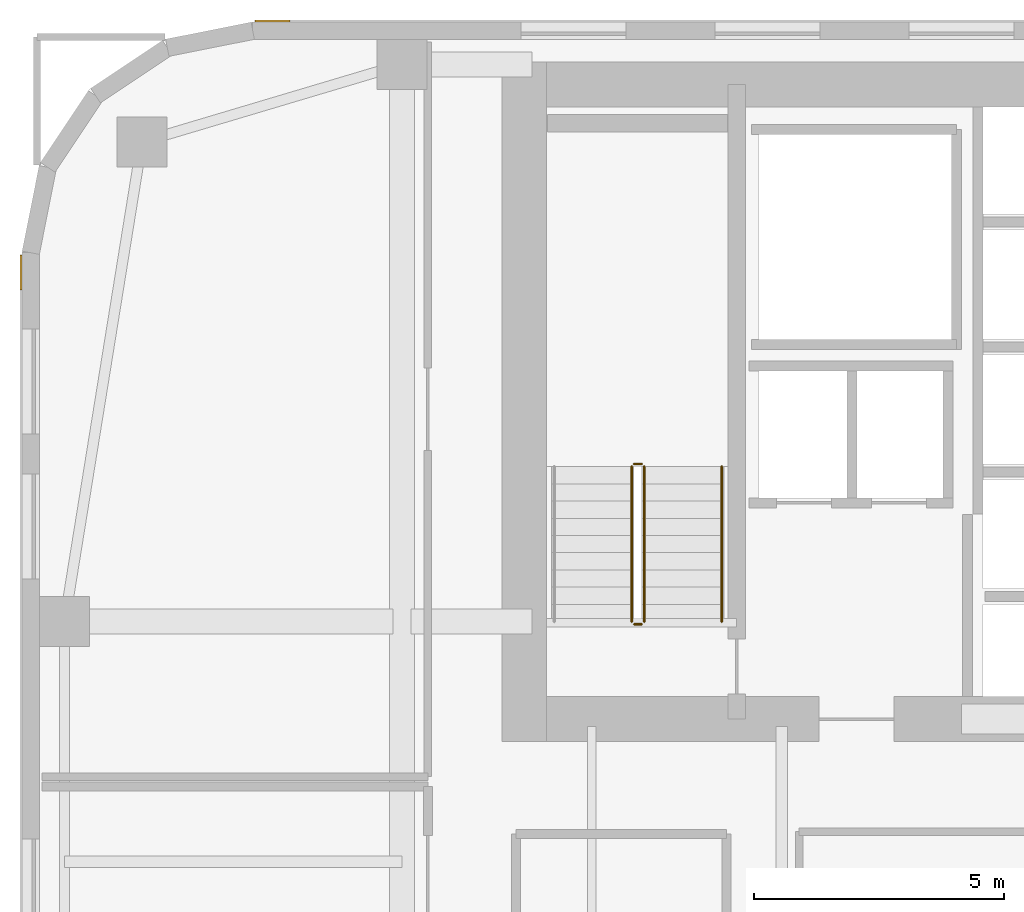
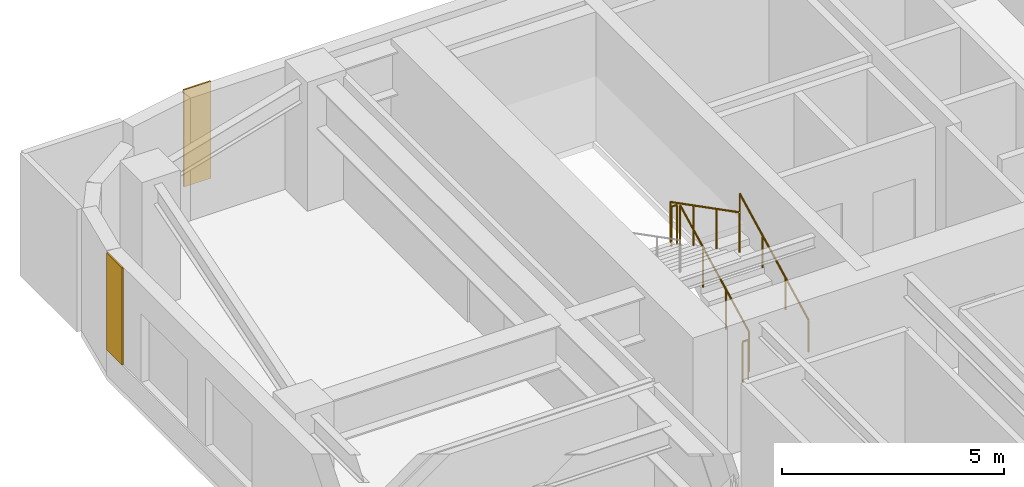
# One storey, part 29 of 31: 5 railings, 2 coverings.
"""IFC4 building model written with IfcOpenShell, lengths in metres."""

import ifcopenshell
import ifcopenshell.guid

model = None  # the IFC model being written
_history = None  # IfcOwnerHistory: only IFC2X3 demands one
_inside = {}  # id of a spatial element -> (the spatial element, [elements in it])
_under = {}  # id of a project, library or spatial element -> (it, [spatial elements below it])
_declared = {}  # id of a project -> (the project, [libraries it declares])
_typed = {}  # id of a type object -> (the type object, [elements of that type])
_made_of = {}  # id of a material, layer set ... -> (it, [elements and type objects made of it])


def new_model(schema):
    """Start an empty IFC model of exactly this schema.

    Asked for "IFC4X3", IfcOpenShell would pick the latest addendum, in which some entities
    have other attributes; the version numbers below select the first issue.
    IFC2X3 requires an IfcOwnerHistory on every rooted entity: one is made here for all.
    """
    global model, _history
    if schema == "IFC4X3":
        model = ifcopenshell.file(schema_version=(4, 3, 0, 0))
    else:
        model = ifcopenshell.file(schema=schema)
    _inside.clear()
    _under.clear()
    _declared.clear()
    _typed.clear()
    _made_of.clear()
    _history = None
    if model.schema == "IFC2X3":
        org = make("IfcOrganization", Name="unknown")
        user = make(
            "IfcPersonAndOrganization",
            ThePerson=make("IfcPerson", FamilyName="unknown"),
            TheOrganization=org,
        )
        app = make(
            "IfcApplication",
            ApplicationDeveloper=org,
            Version="unknown",
            ApplicationFullName="unknown",
            ApplicationIdentifier="unknown",
        )
        _history = make(
            "IfcOwnerHistory",
            OwningUser=user,
            OwningApplication=app,
            ChangeAction="ADDED",
            CreationDate=0,
        )
    return model


def make(cls, **values):
    """One entity of the class cls with the attributes given. An attribute that is None is left unset."""
    return model.create_entity(
        cls, **{name: value for name, value in values.items() if value is not None}
    )


def rooted(cls, **values):
    """An entity with a GlobalId (a new one), such as an element, a storey or a relation."""
    return make(cls, GlobalId=ifcopenshell.guid.new(), OwnerHistory=_history, **values)


def si_unit(unit_type, name, prefix=None):
    """IfcSIUnit, for example si_unit("LENGTHUNIT", "METRE", prefix="MILLI")."""
    return make("IfcSIUnit", UnitType=unit_type, Prefix=prefix, Name=name)


def assignment(units):
    """IfcUnitAssignment: the units of a project."""
    return None if units is None else make("IfcUnitAssignment", Units=units)


def point(xyz):
    """IfcCartesianPoint."""
    return None if xyz is None else make("IfcCartesianPoint", Coordinates=xyz)


def direction(xyz):
    """IfcDirection."""
    return None if xyz is None else make("IfcDirection", DirectionRatios=xyz)


def frame(location, z_axis=None, x_axis=None):
    """IfcAxis2Placement3D, a coordinate frame: its origin and axes. An axis left out is left unset."""
    return make(
        "IfcAxis2Placement3D",
        Location=point(location),
        Axis=direction(z_axis),
        RefDirection=direction(x_axis),
    )


def frame_2d(location, x_axis=None):
    """IfcAxis2Placement2D, a coordinate frame in the plane: its origin and x axis."""
    return make(
        "IfcAxis2Placement2D", Location=point(location), RefDirection=direction(x_axis)
    )


def origin():
    """The frame at (0, 0, 0) with its axes left unset."""
    return frame((0.0, 0.0, 0.0))


def origin_2d():
    """The frame at (0, 0) in the plane with its x axis left unset."""
    return frame_2d((0.0, 0.0))


def place(relative_to, where):
    """IfcLocalPlacement: puts the frame where relative to a parent placement (None: the world)."""
    return make(
        "IfcLocalPlacement", PlacementRelTo=relative_to, RelativePlacement=where
    )


def context(
    kind, dimensions, precision=None, world=None, true_north=None, identifier=None
):
    """IfcGeometricRepresentationContext, for example the 3D "Model" context."""
    return make(
        "IfcGeometricRepresentationContext",
        ContextIdentifier=identifier,
        ContextType=kind,
        CoordinateSpaceDimension=dimensions,
        Precision=precision,
        WorldCoordinateSystem=world,
        TrueNorth=true_north,
    )


def subcontext(parent, identifier, kind, view, scale=None):
    """IfcGeometricRepresentationSubContext, for example "Body" below "Model"."""
    return make(
        "IfcGeometricRepresentationSubContext",
        ContextIdentifier=identifier,
        ContextType=kind,
        ParentContext=parent,
        TargetScale=scale,
        TargetView=view,
    )


def project(units=None, contexts=None):
    """IfcProject with its units and contexts."""
    return rooted(
        "IfcProject",
        Name="project",
        RepresentationContexts=contexts,
        UnitsInContext=assignment(units),
    )


def spatial(cls, under=None, at=None, **own):
    """A site, building, storey or space (cls), placed at a placement, below another one or the project."""
    s = rooted(cls, ObjectPlacement=at, **own)
    if under is not None:
        _under.setdefault(under.id(), (under, []))[1].append(s)
    return s


def polyline(points):
    """IfcPolyline through the points."""
    return make("IfcPolyline", Points=[point(p) for p in points])


def profile(cls, at=None, kind="AREA", **sizes):
    """A parametric profile (cls). Its sizes go by their IFC names, for example OverallWidth=200.0."""
    return make(cls, ProfileType=kind, Position=at, **sizes)


def circle(**sizes):
    """IfcCircleProfileDef."""
    return profile("IfcCircleProfileDef", **sizes)


def outline(outer, holes=None, kind="AREA"):
    """IfcArbitraryClosedProfileDef: a profile drawn as a closed curve; with holes, ...WithVoids."""
    if holes is None:
        return make("IfcArbitraryClosedProfileDef", ProfileType=kind, OuterCurve=outer)
    return make(
        "IfcArbitraryProfileDefWithVoids",
        ProfileType=kind,
        OuterCurve=outer,
        InnerCurves=holes,
    )


def extrude(swept, where, along, depth):
    """IfcExtrudedAreaSolid: the profile swept, set in the frame where, extruded along a direction by depth."""
    return make(
        "IfcExtrudedAreaSolid",
        SweptArea=swept,
        Position=where,
        ExtrudedDirection=direction(along),
        Depth=depth,
    )


def shape(context_of_items, identifier, shape_type, items):
    """IfcShapeRepresentation: the items that make up one representation, for example the "Body"."""
    return make(
        "IfcShapeRepresentation",
        ContextOfItems=context_of_items,
        RepresentationIdentifier=identifier,
        RepresentationType=shape_type,
        Items=items,
    )


def material(Name=None, Category=None):
    """IfcMaterial."""
    return make("IfcMaterial", Name=Name, Category=Category)


def layer(
    of_material, thickness, ventilated=None, Name=None, Category=None, Priority=None
):
    """IfcMaterialLayer: one layer of a wall or slab, of a material (None: an air gap)."""
    return make(
        "IfcMaterialLayer",
        Material=of_material,
        LayerThickness=thickness,
        IsVentilated=ventilated,
        Name=Name,
        Category=Category,
        Priority=Priority,
    )


def layer_set(layers, Name=None):
    """IfcMaterialLayerSet."""
    return make("IfcMaterialLayerSet", MaterialLayers=layers, LayerSetName=Name)


def made_of(thing, what):
    """Note that an element or type object is made of a material, layer set ...; save() writes the relation."""
    if what is not None:
        _made_of.setdefault(what.id(), (what, []))[1].append(thing)
    return thing


def type_object(cls, material=None, **own):
    """A type object (cls), such as IfcWallType, which elements share."""
    return made_of(rooted(cls, **own), material)


def element(
    cls,
    number,
    at=None,
    inside=None,
    cuts=None,
    type_object=None,
    material=None,
    context=None,
    identifier="Body",
    shape_type=None,
    held_by="IfcProductDefinitionShape",
    body=None,
    shapes=None,
    **own,
):
    """One element of the class cls, such as IfcWall. Its Tag is "e" and its number.

    at: its placement. inside: the storey or other place that contains it. cuts: it is an
    opening in that element (IfcRelVoidsElement). A single representation is given by context,
    identifier, shape_type and body (its items); several are given by shapes. held_by: the class
    of the entity that holds the representations. save() writes the other relations.
    """
    e = rooted(cls, Tag="e%d" % number, ObjectPlacement=at, **own)
    if body is not None:
        shapes = [shape(context, identifier, shape_type, body)]
    if shapes is not None:
        e.Representation = make(held_by, Representations=shapes)
    if inside is not None:
        _inside.setdefault(inside.id(), (inside, []))[1].append(e)
    if cuts is not None:
        rooted(
            "IfcRelVoidsElement", RelatingBuildingElement=cuts, RelatedOpeningElement=e
        )
    if type_object is not None:
        _typed.setdefault(type_object.id(), (type_object, []))[1].append(e)
    return made_of(e, material)


def aggregate(whole, parts):
    """IfcRelAggregates: a whole, such as a stair, and the parts it consists of."""
    return rooted("IfcRelAggregates", RelatingObject=whole, RelatedObjects=parts)


def save(model, path):
    """Write the relations noted so far, then the file.

    IfcRelAggregates (storeys below a building ...), IfcRelContainedInSpatialStructure (elements
    in a storey), IfcRelDefinesByType, IfcRelAssociatesMaterial and IfcRelDeclares: one each for
    every whole, place, type object, material and project.
    """
    for whole, parts in _under.values():
        aggregate(whole, parts)
    for where, things in _inside.values():
        rooted(
            "IfcRelContainedInSpatialStructure",
            RelatedElements=things,
            RelatingStructure=where,
        )
    for kind, things in _typed.values():
        rooted("IfcRelDefinesByType", RelatedObjects=things, RelatingType=kind)
    for what, things in _made_of.values():
        rooted("IfcRelAssociatesMaterial", RelatedObjects=things, RelatingMaterial=what)
    for by, libraries in _declared.values():
        rooted("IfcRelDeclares", RelatingContext=by, RelatedDefinitions=libraries)
    model.write(path)


model = new_model("IFC4")

# Units and contexts
model_context = context("Model", 3, precision=1e-05, world=origin(), true_north=direction((0.0, 1.0)))
body_context = subcontext(model_context, "Body", "Model", "MODEL_VIEW")
ifc_project = project(units=[si_unit("LENGTHUNIT", "METRE"), si_unit("AREAUNIT", "SQUARE_METRE"), si_unit("VOLUMEUNIT", "CUBIC_METRE"), si_unit("PLANEANGLEUNIT", "RADIAN"), si_unit("MASSUNIT", "GRAM", prefix="KILO")], contexts=[model_context])

# Site, building, storey
site_placement = place(None, origin())
site = spatial("IfcSite", under=ifc_project, at=site_placement, CompositionType="ELEMENT")
building_placement = place(site_placement, origin())
building = spatial("IfcBuilding", under=site, at=building_placement, Name="Tolvann Quenvar Hotel", CompositionType="ELEMENT")
storey_placement = place(building_placement, frame((0.0, 0.0, 74.60009765625)))
storey = spatial("IfcBuildingStorey", under=building, at=storey_placement, Name="L18", CompositionType="ELEMENT", Elevation=74.60009765625)

# Coverings
ifc_material_1 = material(Name="Kiln-fired red architectural face brick cladding", Category="masonry")
ifc_layer = layer(ifc_material_1, 0.0400390625)
ifc_layer_set = layer_set([ifc_layer], Name="Kiln-fired red architectural face brick cladding")
covering_type = type_object("IfcCoveringType", Name="COV_CLAD_BRICK_40", PredefinedType="CLADDING", material=ifc_layer_set)
covering_1_placement = place(storey_placement, frame((0.0, 0.0, 0.699951171875)))
element("IfcCovering", 1, at=covering_1_placement, inside=storey, type_object=covering_type, Name="Brick Pier Cladding (L18-E18-P2)", PredefinedType="CLADDING", context=body_context, shape_type="SweptSolid", body=[
    extrude(outline(polyline([(5.3671875, 46.0), (4.667236328125, 46.0), (4.667236328125, 46.0400390625), (5.3671875, 46.0400390625), (5.3671875, 46.0)])), origin(), (0.0, 0.0, 1.0), 2.669921875),
])
covering_2_placement = place(storey_placement, frame((0.0, 0.0, 0.699951171875)))
element("IfcCovering", 2, at=covering_2_placement, inside=storey, type_object=covering_type, Name="Brick Pier Cladding (L18-E23-P1)", PredefinedType="CLADDING", context=body_context, shape_type="SweptSolid", body=[
    extrude(outline(polyline([(0.0, 41.332763671875), (0.0, 40.6328125), (-0.0400390625, 40.6328125), (-0.0400390625, 41.332763671875), (0.0, 41.332763671875)])), origin(), (0.0, 0.0, 1.0), 2.669921875),
])

# Railings
ifc_material_2 = material(Name="Brushed 316 stainless steel balustrade and handrail", Category="steel")
railing_type_1 = type_object("IfcRailingType", Name="GUARDRAIL", PredefinedType="GUARDRAIL", material=ifc_material_2)
railing_1_placement = place(storey_placement, frame((12.449951171875, 34.0, 0.177490234375)))
element("IfcRailing", 3, at=railing_1_placement, inside=storey, type_object=railing_type_1, Name="L18 ST-C1 stair guard 1", PredefinedType="GUARDRAIL", context=body_context, shape_type="SweptSolid", body=[
    extrude(circle(Radius=0.02392578125, at=origin_2d()), frame((0.0, 0.0, 1.09619140625), z_axis=(0.0, 0.889221982265, 0.45747597342), x_axis=(-1.0, 0.0, 0.0)), (0.0, 0.0, 1.0), 3.49169921875),
    extrude(circle(Radius=0.02099609375, at=origin_2d()), origin(), (0.0, 0.0, 1.0), 1.072021484375),
    extrude(circle(Radius=0.02099609375, at=origin_2d()), frame((0.0, 1.034912109375, 0.532470703125)), (0.0, 0.0, 1.0), 1.072021484375),
    extrude(circle(Radius=0.02099609375, at=origin_2d()), frame((0.0, 2.070068359375, 1.06494140625)), (0.0, 0.0, 1.0), 1.072021484375),
    extrude(circle(Radius=0.02099609375, at=origin_2d()), frame((0.0, 3.10498046875, 1.597412109375)), (0.0, 0.0, 1.0), 1.072021484375),
])
railing_2_placement = place(storey_placement, frame((12.39990234375, 37.155029296875, 1.77490234375)))
element("IfcRailing", 4, at=railing_2_placement, inside=storey, type_object=railing_type_1, Name="L18 ST-C1 stair guard 2", PredefinedType="GUARDRAIL", context=body_context, shape_type="SweptSolid", body=[
    extrude(circle(Radius=0.02392578125, at=origin_2d()), frame((0.0, 0.0, 1.09619140625), z_axis=(-1.0, 0.0, 0.0), x_axis=(0.0, -1.0, 0.0)), (0.0, 0.0, 1.0), 0.14990234375),
    extrude(circle(Radius=0.02099609375, at=origin_2d()), origin(), (0.0, 0.0, 1.0), 1.072021484375),
    extrude(circle(Radius=0.02099609375, at=origin_2d()), frame((-0.14990234375, 0.0, 0.0)), (0.0, 0.0, 1.0), 1.072021484375),
])
railing_3_placement = place(storey_placement, frame((12.199951171875, 37.10498046875, 1.952392578125)))
element("IfcRailing", 5, at=railing_3_placement, inside=storey, type_object=railing_type_1, Name="L18 ST-C1 stair guard 3", PredefinedType="GUARDRAIL", context=body_context, shape_type="SweptSolid", body=[
    extrude(circle(Radius=0.02392578125, at=origin_2d()), frame((0.0, 0.0, 1.09619140625), z_axis=(0.0, -0.889221982265, 0.45747597342), x_axis=(1.0, 0.0, 0.0)), (0.0, 0.0, 1.0), 3.49169921875),
    extrude(circle(Radius=0.02099609375, at=origin_2d()), origin(), (0.0, 0.0, 1.0), 1.072021484375),
    extrude(circle(Radius=0.02099609375, at=origin_2d()), frame((0.0, -1.034912109375, 0.532470703125)), (0.0, 0.0, 1.0), 1.072021484375),
    extrude(circle(Radius=0.02099609375, at=origin_2d()), frame((0.0, -2.070068359375, 1.06494140625)), (0.0, 0.0, 1.0), 1.072021484375),
    extrude(circle(Radius=0.02099609375, at=origin_2d()), frame((0.0, -3.10498046875, 1.597412109375)), (0.0, 0.0, 1.0), 1.072021484375),
])
railing_4_placement = place(storey_placement, frame((12.39990234375, 33.949951171875, 0.0)))
element("IfcRailing", 6, at=railing_4_placement, inside=storey, type_object=railing_type_1, Name="L18 ST-C1 stair guard 4", PredefinedType="GUARDRAIL", context=body_context, shape_type="SweptSolid", body=[
    extrude(circle(Radius=0.02392578125, at=origin_2d()), frame((0.0, 0.0, 1.09619140625), z_axis=(-1.0, 0.0, 0.0), x_axis=(0.0, -1.0, 0.0)), (0.0, 0.0, 1.0), 0.14990234375),
    extrude(circle(Radius=0.02099609375, at=origin_2d()), origin(), (0.0, 0.0, 1.0), 1.072021484375),
    extrude(circle(Radius=0.02099609375, at=origin_2d()), frame((-0.14990234375, 0.0, 0.0)), (0.0, 0.0, 1.0), 1.072021484375),
])
railing_type_2 = type_object("IfcRailingType", Name="HANDRAIL", PredefinedType="HANDRAIL", material=ifc_material_2)
railing_5_placement = place(storey_placement, frame((14.0, 34.0, 0.177490234375)))
element("IfcRailing", 7, at=railing_5_placement, inside=storey, type_object=railing_type_2, Name="L18 ST-C1 stair handrail 1", PredefinedType="HANDRAIL", context=body_context, shape_type="SweptSolid", body=[
    extrude(circle(Radius=0.02392578125, at=origin_2d()), frame((0.0, 0.0, 0.8759765625), z_axis=(0.0, 0.889221982265, 0.45747597342), x_axis=(-1.0, 0.0, 0.0)), (0.0, 0.0, 1.0), 3.49169921875),
    extrude(circle(Radius=0.02099609375, at=origin_2d()), origin(), (0.0, 0.0, 1.0), 0.851806640625),
    extrude(circle(Radius=0.02099609375, at=origin_2d()), frame((0.0, 1.034912109375, 0.532470703125)), (0.0, 0.0, 1.0), 0.851806640625),
    extrude(circle(Radius=0.02099609375, at=origin_2d()), frame((0.0, 2.070068359375, 1.06494140625)), (0.0, 0.0, 1.0), 0.851806640625),
    extrude(circle(Radius=0.02099609375, at=origin_2d()), frame((0.0, 3.10498046875, 1.597412109375)), (0.0, 0.0, 1.0), 0.851806640625),
])

save(model, "model.ifc")
